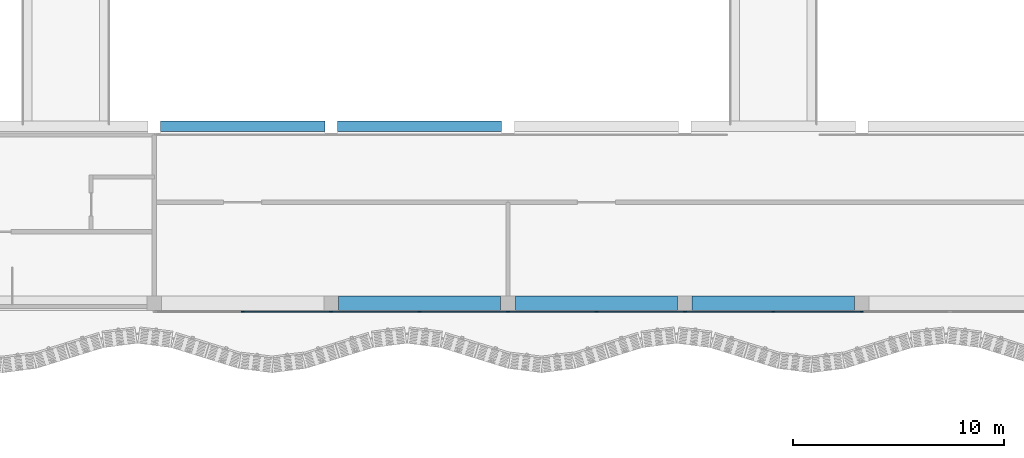
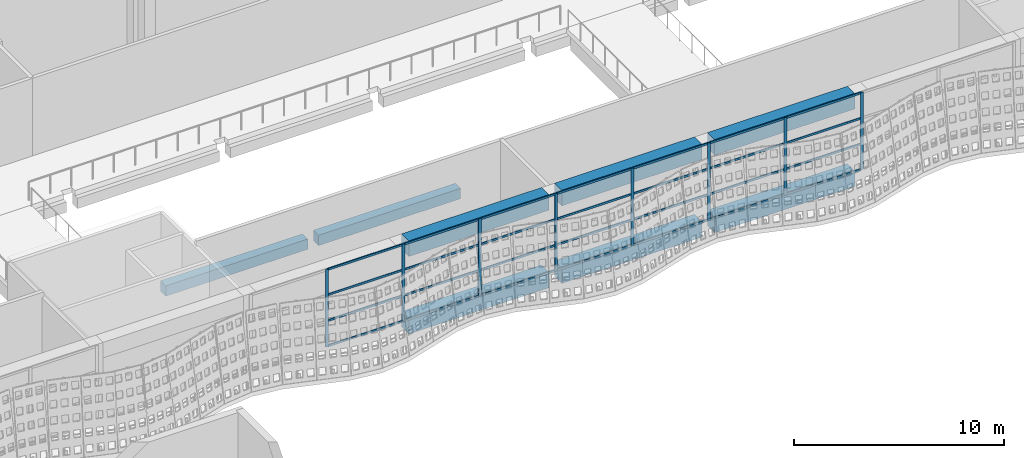
# One storey, part 54 of 162: 36 members, 8 beams, 1 element without a shape of its own.
"""IFC4 building model written with IfcOpenShell, lengths in metres."""

import ifcopenshell
import ifcopenshell.guid

model = None  # the IFC model being written
_history = None  # IfcOwnerHistory: only IFC2X3 demands one
_inside = {}  # id of a spatial element -> (the spatial element, [elements in it])
_under = {}  # id of a project, library or spatial element -> (it, [spatial elements below it])
_declared = {}  # id of a project -> (the project, [libraries it declares])
_typed = {}  # id of a type object -> (the type object, [elements of that type])
_made_of = {}  # id of a material, layer set ... -> (it, [elements and type objects made of it])


def new_model(schema):
    """Start an empty IFC model of exactly this schema.

    Asked for "IFC4X3", IfcOpenShell would pick the latest addendum, in which some entities
    have other attributes; the version numbers below select the first issue.
    IFC2X3 requires an IfcOwnerHistory on every rooted entity: one is made here for all.
    """
    global model, _history
    if schema == "IFC4X3":
        model = ifcopenshell.file(schema_version=(4, 3, 0, 0))
    else:
        model = ifcopenshell.file(schema=schema)
    _inside.clear()
    _under.clear()
    _declared.clear()
    _typed.clear()
    _made_of.clear()
    _history = None
    if model.schema == "IFC2X3":
        org = make("IfcOrganization", Name="unknown")
        user = make(
            "IfcPersonAndOrganization",
            ThePerson=make("IfcPerson", FamilyName="unknown"),
            TheOrganization=org,
        )
        app = make(
            "IfcApplication",
            ApplicationDeveloper=org,
            Version="unknown",
            ApplicationFullName="unknown",
            ApplicationIdentifier="unknown",
        )
        _history = make(
            "IfcOwnerHistory",
            OwningUser=user,
            OwningApplication=app,
            ChangeAction="ADDED",
            CreationDate=0,
        )
    return model


def make(cls, **values):
    """One entity of the class cls with the attributes given. An attribute that is None is left unset."""
    return model.create_entity(
        cls, **{name: value for name, value in values.items() if value is not None}
    )


def rooted(cls, **values):
    """An entity with a GlobalId (a new one), such as an element, a storey or a relation."""
    return make(cls, GlobalId=ifcopenshell.guid.new(), OwnerHistory=_history, **values)


def si_unit(unit_type, name, prefix=None):
    """IfcSIUnit, for example si_unit("LENGTHUNIT", "METRE", prefix="MILLI")."""
    return make("IfcSIUnit", UnitType=unit_type, Prefix=prefix, Name=name)


def assignment(units):
    """IfcUnitAssignment: the units of a project."""
    return None if units is None else make("IfcUnitAssignment", Units=units)


def point(xyz):
    """IfcCartesianPoint."""
    return None if xyz is None else make("IfcCartesianPoint", Coordinates=xyz)


def direction(xyz):
    """IfcDirection."""
    return None if xyz is None else make("IfcDirection", DirectionRatios=xyz)


def frame(location, z_axis=None, x_axis=None):
    """IfcAxis2Placement3D, a coordinate frame: its origin and axes. An axis left out is left unset."""
    return make(
        "IfcAxis2Placement3D",
        Location=point(location),
        Axis=direction(z_axis),
        RefDirection=direction(x_axis),
    )


def frame_2d(location, x_axis=None):
    """IfcAxis2Placement2D, a coordinate frame in the plane: its origin and x axis."""
    return make(
        "IfcAxis2Placement2D", Location=point(location), RefDirection=direction(x_axis)
    )


def origin():
    """The frame at (0, 0, 0) with its axes left unset."""
    return frame((0.0, 0.0, 0.0))


def origin_2d():
    """The frame at (0, 0) in the plane with its x axis left unset."""
    return frame_2d((0.0, 0.0))


def place(relative_to, where):
    """IfcLocalPlacement: puts the frame where relative to a parent placement (None: the world)."""
    return make(
        "IfcLocalPlacement", PlacementRelTo=relative_to, RelativePlacement=where
    )


def context(
    kind, dimensions, precision=None, world=None, true_north=None, identifier=None
):
    """IfcGeometricRepresentationContext, for example the 3D "Model" context."""
    return make(
        "IfcGeometricRepresentationContext",
        ContextIdentifier=identifier,
        ContextType=kind,
        CoordinateSpaceDimension=dimensions,
        Precision=precision,
        WorldCoordinateSystem=world,
        TrueNorth=true_north,
    )


def subcontext(parent, identifier, kind, view, scale=None):
    """IfcGeometricRepresentationSubContext, for example "Body" below "Model"."""
    return make(
        "IfcGeometricRepresentationSubContext",
        ContextIdentifier=identifier,
        ContextType=kind,
        ParentContext=parent,
        TargetScale=scale,
        TargetView=view,
    )


def project(units=None, contexts=None):
    """IfcProject with its units and contexts."""
    return rooted(
        "IfcProject",
        Name="project",
        RepresentationContexts=contexts,
        UnitsInContext=assignment(units),
    )


def spatial(cls, under=None, at=None, **own):
    """A site, building, storey or space (cls), placed at a placement, below another one or the project."""
    s = rooted(cls, ObjectPlacement=at, **own)
    if under is not None:
        _under.setdefault(under.id(), (under, []))[1].append(s)
    return s


def profile(cls, at=None, kind="AREA", **sizes):
    """A parametric profile (cls). Its sizes go by their IFC names, for example OverallWidth=200.0."""
    return make(cls, ProfileType=kind, Position=at, **sizes)


def rectangle(**sizes):
    """IfcRectangleProfileDef."""
    return profile("IfcRectangleProfileDef", **sizes)


def extrude(swept, where, along, depth):
    """IfcExtrudedAreaSolid: the profile swept, set in the frame where, extruded along a direction by depth."""
    return make(
        "IfcExtrudedAreaSolid",
        SweptArea=swept,
        Position=where,
        ExtrudedDirection=direction(along),
        Depth=depth,
    )


def shape(context_of_items, identifier, shape_type, items):
    """IfcShapeRepresentation: the items that make up one representation, for example the "Body"."""
    return make(
        "IfcShapeRepresentation",
        ContextOfItems=context_of_items,
        RepresentationIdentifier=identifier,
        RepresentationType=shape_type,
        Items=items,
    )


def material(Name=None, Category=None):
    """IfcMaterial."""
    return make("IfcMaterial", Name=Name, Category=Category)


def layer(
    of_material, thickness, ventilated=None, Name=None, Category=None, Priority=None
):
    """IfcMaterialLayer: one layer of a wall or slab, of a material (None: an air gap)."""
    return make(
        "IfcMaterialLayer",
        Material=of_material,
        LayerThickness=thickness,
        IsVentilated=ventilated,
        Name=Name,
        Category=Category,
        Priority=Priority,
    )


def layer_set(layers, Name=None):
    """IfcMaterialLayerSet."""
    return make("IfcMaterialLayerSet", MaterialLayers=layers, LayerSetName=Name)


def material_profile(
    of_material, cross_section, Name=None, Category=None, Priority=None
):
    """IfcMaterialProfile: a cross section and its material."""
    return make(
        "IfcMaterialProfile",
        Name=Name,
        Material=of_material,
        Profile=cross_section,
        Priority=Priority,
        Category=Category,
    )


def profile_set(profiles, Name=None, composite=None):
    """IfcMaterialProfileSet."""
    return make(
        "IfcMaterialProfileSet",
        Name=Name,
        MaterialProfiles=profiles,
        CompositeProfile=composite,
    )


def made_of(thing, what):
    """Note that an element or type object is made of a material, layer set ...; save() writes the relation."""
    if what is not None:
        _made_of.setdefault(what.id(), (what, []))[1].append(thing)
    return thing


def type_object(cls, material=None, **own):
    """A type object (cls), such as IfcWallType, which elements share."""
    return made_of(rooted(cls, **own), material)


def element(
    cls,
    number,
    at=None,
    inside=None,
    cuts=None,
    type_object=None,
    material=None,
    context=None,
    identifier="Body",
    shape_type=None,
    held_by="IfcProductDefinitionShape",
    body=None,
    shapes=None,
    **own,
):
    """One element of the class cls, such as IfcWall. Its Tag is "e" and its number.

    at: its placement. inside: the storey or other place that contains it. cuts: it is an
    opening in that element (IfcRelVoidsElement). A single representation is given by context,
    identifier, shape_type and body (its items); several are given by shapes. held_by: the class
    of the entity that holds the representations. save() writes the other relations.
    """
    e = rooted(cls, Tag="e%d" % number, ObjectPlacement=at, **own)
    if body is not None:
        shapes = [shape(context, identifier, shape_type, body)]
    if shapes is not None:
        e.Representation = make(held_by, Representations=shapes)
    if inside is not None:
        _inside.setdefault(inside.id(), (inside, []))[1].append(e)
    if cuts is not None:
        rooted(
            "IfcRelVoidsElement", RelatingBuildingElement=cuts, RelatedOpeningElement=e
        )
    if type_object is not None:
        _typed.setdefault(type_object.id(), (type_object, []))[1].append(e)
    return made_of(e, material)


def aggregate(whole, parts):
    """IfcRelAggregates: a whole, such as a stair, and the parts it consists of."""
    return rooted("IfcRelAggregates", RelatingObject=whole, RelatedObjects=parts)


def save(model, path):
    """Write the relations noted so far, then the file.

    IfcRelAggregates (storeys below a building ...), IfcRelContainedInSpatialStructure (elements
    in a storey), IfcRelDefinesByType, IfcRelAssociatesMaterial and IfcRelDeclares: one each for
    every whole, place, type object, material and project.
    """
    for whole, parts in _under.values():
        aggregate(whole, parts)
    for where, things in _inside.values():
        rooted(
            "IfcRelContainedInSpatialStructure",
            RelatedElements=things,
            RelatingStructure=where,
        )
    for kind, things in _typed.values():
        rooted("IfcRelDefinesByType", RelatedObjects=things, RelatingType=kind)
    for what, things in _made_of.values():
        rooted("IfcRelAssociatesMaterial", RelatedObjects=things, RelatingMaterial=what)
    for by, libraries in _declared.values():
        rooted("IfcRelDeclares", RelatingContext=by, RelatedDefinitions=libraries)
    model.write(path)


model = new_model("IFC4")

# Units and contexts
model_context = context("Model", 3, precision=1e-05, world=origin(), true_north=direction((0.0, 1.0)))
body_context = subcontext(model_context, "Body", "Model", "MODEL_VIEW")
ifc_project = project(units=[si_unit("LENGTHUNIT", "METRE"), si_unit("AREAUNIT", "SQUARE_METRE"), si_unit("VOLUMEUNIT", "CUBIC_METRE"), si_unit("PLANEANGLEUNIT", "RADIAN"), si_unit("MASSUNIT", "GRAM", prefix="KILO")], contexts=[model_context])

# Site, building, storey
site_placement = place(None, origin())
site = spatial("IfcSite", under=ifc_project, at=site_placement, CompositionType="ELEMENT")
building_placement = place(site_placement, origin())
building = spatial("IfcBuilding", under=site, at=building_placement, Name="Rain Tree Exposition and Congress Centre", CompositionType="ELEMENT")
storey_placement = place(building_placement, frame((0.0, 0.0, 6.0)))
storey = spatial("IfcBuildingStorey", under=building, at=storey_placement, Name="L01", CompositionType="ELEMENT", Elevation=6.0)

# Curtain wall, members
ifc_material_1 = material(Name="Aluminium curtain wall system", Category="aluminium")
ifc_layer = layer(ifc_material_1, 0.10009765625)
ifc_layer_set = layer_set([ifc_layer], Name="Aluminium curtain wall system")
curtain_wall_type = type_object("IfcCurtainWallType", Name="Concourse curtain wall 4200 module", PredefinedType="NOTDEFINED", material=ifc_layer_set)
curtain_wall_placement = place(storey_placement, origin())
curtain_wall = element("IfcCurtainWall", 1, at=curtain_wall_placement, inside=storey, type_object=curtain_wall_type, Name="Concourse curtain wall CWC28", PredefinedType="NOTDEFINED")
ifc_material_2 = material(Name="Aluminium mullion", Category="aluminium")
ifc_material_profile_1 = material_profile(ifc_material_2, rectangle(XDim=0.06005859375, YDim=0.159912109375, at=origin_2d()), Name="AL 60x160")
ifc_profile_set_1 = profile_set([ifc_material_profile_1], Name="Aluminium mullion")
member_type_1 = type_object("IfcMemberType", Name="Concourse curtain wall mullion 60x160", PredefinedType="MULLION", material=ifc_profile_set_1)
member_1_placement = place(storey_placement, frame((222.60009765625, 75.199951171875, 0.0), z_axis=(0.0, 0.0, 1.0), x_axis=(0.0, 1.0, 0.0)))
member_1 = element("IfcMember", 2, at=member_1_placement, type_object=member_type_1, Name="CWC28 mullion 2", PredefinedType="MULLION", context=body_context, shape_type="SweptSolid", body=[
    extrude(rectangle(XDim=0.06005859375, YDim=0.159912109375, at=origin_2d()), origin(), (0.0, 0.0, 1.0), 4.5),
])
member_2_placement = place(storey_placement, frame((226.800048828125, 75.199951171875, 0.0), z_axis=(0.0, 0.0, 1.0), x_axis=(0.0, 1.0, 0.0)))
member_2 = element("IfcMember", 3, at=member_2_placement, type_object=member_type_1, Name="CWC28 mullion 3", PredefinedType="MULLION", context=body_context, shape_type="SweptSolid", body=[
    extrude(rectangle(XDim=0.06005859375, YDim=0.159912109375, at=origin_2d()), origin(), (0.0, 0.0, 1.0), 4.5),
])
member_3_placement = place(storey_placement, frame((231.0, 75.199951171875, 0.0), z_axis=(0.0, 0.0, 1.0), x_axis=(0.0, 1.0, 0.0)))
member_3 = element("IfcMember", 4, at=member_3_placement, type_object=member_type_1, Name="CWC28 mullion 4", PredefinedType="MULLION", context=body_context, shape_type="SweptSolid", body=[
    extrude(rectangle(XDim=0.06005859375, YDim=0.159912109375, at=origin_2d()), origin(), (0.0, 0.0, 1.0), 4.5),
])
member_4_placement = place(storey_placement, frame((235.199951171875, 75.199951171875, 0.0), z_axis=(0.0, 0.0, 1.0), x_axis=(0.0, 1.0, 0.0)))
member_4 = element("IfcMember", 5, at=member_4_placement, type_object=member_type_1, Name="CWC28 mullion 5", PredefinedType="MULLION", context=body_context, shape_type="SweptSolid", body=[
    extrude(rectangle(XDim=0.06005859375, YDim=0.159912109375, at=origin_2d()), origin(), (0.0, 0.0, 1.0), 4.5),
])
member_5_placement = place(storey_placement, frame((239.39990234375, 75.199951171875, 0.0), z_axis=(0.0, 0.0, 1.0), x_axis=(0.0, 1.0, 0.0)))
member_5 = element("IfcMember", 6, at=member_5_placement, type_object=member_type_1, Name="CWC28 mullion 6", PredefinedType="MULLION", context=body_context, shape_type="SweptSolid", body=[
    extrude(rectangle(XDim=0.06005859375, YDim=0.159912109375, at=origin_2d()), origin(), (0.0, 0.0, 1.0), 4.5),
])
member_6_placement = place(storey_placement, frame((243.60009765625, 75.199951171875, 0.0), z_axis=(0.0, 0.0, 1.0), x_axis=(0.0, 1.0, 0.0)))
member_6 = element("IfcMember", 7, at=member_6_placement, type_object=member_type_1, Name="CWC28 mullion 7", PredefinedType="MULLION", context=body_context, shape_type="SweptSolid", body=[
    extrude(rectangle(XDim=0.06005859375, YDim=0.159912109375, at=origin_2d()), origin(), (0.0, 0.0, 1.0), 4.5),
])
member_7_placement = place(storey_placement, frame((247.800048828125, 75.199951171875, 0.0), z_axis=(0.0, 0.0, 1.0), x_axis=(0.0, 1.0, 0.0)))
member_7 = element("IfcMember", 8, at=member_7_placement, type_object=member_type_1, Name="CWC28 mullion 8", PredefinedType="MULLION", context=body_context, shape_type="SweptSolid", body=[
    extrude(rectangle(XDim=0.06005859375, YDim=0.159912109375, at=origin_2d()), origin(), (0.0, 0.0, 1.0), 4.5),
])
member_8_placement = place(storey_placement, frame((252.0, 75.199951171875, 0.0), z_axis=(0.0, 0.0, 1.0), x_axis=(0.0, 1.0, 0.0)))
member_8 = element("IfcMember", 9, at=member_8_placement, type_object=member_type_1, Name="CWC28 mullion 9", PredefinedType="MULLION", context=body_context, shape_type="SweptSolid", body=[
    extrude(rectangle(XDim=0.06005859375, YDim=0.159912109375, at=origin_2d()), origin(), (0.0, 0.0, 1.0), 4.5),
])
ifc_material_3 = material(Name="Aluminium transom", Category="aluminium")
ifc_material_profile_2 = material_profile(ifc_material_3, rectangle(XDim=0.06005859375, YDim=0.1201171875, at=origin_2d()), Name="AL 60x120")
ifc_profile_set_2 = profile_set([ifc_material_profile_2], Name="Aluminium transom")
member_type_2 = type_object("IfcMemberType", Name="Concourse curtain wall transom 60x120", PredefinedType="USERDEFINED", material=ifc_profile_set_2)
member_9_placement = place(storey_placement, frame((222.6298828125, 75.199951171875, 0.030029296875), z_axis=(1.0, 0.0, 0.0), x_axis=(0.0, 1.0, 0.0)))
member_9 = element("IfcMember", 10, at=member_9_placement, type_object=member_type_2, Name="CWC28 transom 2.1", ObjectType="TRANSOM", PredefinedType="USERDEFINED", context=body_context, shape_type="SweptSolid", body=[
    extrude(rectangle(XDim=0.06005859375, YDim=0.1201171875, at=origin_2d()), origin(), (0.0, 0.0, 1.0), 4.14013671875),
])
member_10_placement = place(storey_placement, frame((222.6298828125, 75.199951171875, 1.5), z_axis=(1.0, 0.0, 0.0), x_axis=(0.0, 1.0, 0.0)))
member_10 = element("IfcMember", 11, at=member_10_placement, type_object=member_type_2, Name="CWC28 transom 2.2", ObjectType="TRANSOM", PredefinedType="USERDEFINED", context=body_context, shape_type="SweptSolid", body=[
    extrude(rectangle(XDim=0.06005859375, YDim=0.1201171875, at=origin_2d()), origin(), (0.0, 0.0, 1.0), 4.14013671875),
])
member_11_placement = place(storey_placement, frame((222.6298828125, 75.199951171875, 3.0), z_axis=(1.0, 0.0, 0.0), x_axis=(0.0, 1.0, 0.0)))
member_11 = element("IfcMember", 12, at=member_11_placement, type_object=member_type_2, Name="CWC28 transom 2.3", ObjectType="TRANSOM", PredefinedType="USERDEFINED", context=body_context, shape_type="SweptSolid", body=[
    extrude(rectangle(XDim=0.06005859375, YDim=0.1201171875, at=origin_2d()), origin(), (0.0, 0.0, 1.0), 4.14013671875),
])
member_12_placement = place(storey_placement, frame((222.6298828125, 75.199951171875, 4.469970703125), z_axis=(1.0, 0.0, 0.0), x_axis=(0.0, 1.0, 0.0)))
member_12 = element("IfcMember", 13, at=member_12_placement, type_object=member_type_2, Name="CWC28 transom 2.4", ObjectType="TRANSOM", PredefinedType="USERDEFINED", context=body_context, shape_type="SweptSolid", body=[
    extrude(rectangle(XDim=0.06005859375, YDim=0.1201171875, at=origin_2d()), origin(), (0.0, 0.0, 1.0), 4.14013671875),
])
member_13_placement = place(storey_placement, frame((226.830078125, 75.199951171875, 0.030029296875), z_axis=(1.0, 0.0, 0.0), x_axis=(0.0, 1.0, 0.0)))
member_13 = element("IfcMember", 14, at=member_13_placement, type_object=member_type_2, Name="CWC28 transom 3.1", ObjectType="TRANSOM", PredefinedType="USERDEFINED", context=body_context, shape_type="SweptSolid", body=[
    extrude(rectangle(XDim=0.06005859375, YDim=0.1201171875, at=origin_2d()), origin(), (0.0, 0.0, 1.0), 4.139892578125),
])
member_14_placement = place(storey_placement, frame((226.830078125, 75.199951171875, 1.5), z_axis=(1.0, 0.0, 0.0), x_axis=(0.0, 1.0, 0.0)))
member_14 = element("IfcMember", 15, at=member_14_placement, type_object=member_type_2, Name="CWC28 transom 3.2", ObjectType="TRANSOM", PredefinedType="USERDEFINED", context=body_context, shape_type="SweptSolid", body=[
    extrude(rectangle(XDim=0.06005859375, YDim=0.1201171875, at=origin_2d()), origin(), (0.0, 0.0, 1.0), 4.139892578125),
])
member_15_placement = place(storey_placement, frame((226.830078125, 75.199951171875, 3.0), z_axis=(1.0, 0.0, 0.0), x_axis=(0.0, 1.0, 0.0)))
member_15 = element("IfcMember", 16, at=member_15_placement, type_object=member_type_2, Name="CWC28 transom 3.3", ObjectType="TRANSOM", PredefinedType="USERDEFINED", context=body_context, shape_type="SweptSolid", body=[
    extrude(rectangle(XDim=0.06005859375, YDim=0.1201171875, at=origin_2d()), origin(), (0.0, 0.0, 1.0), 4.139892578125),
])
member_16_placement = place(storey_placement, frame((226.830078125, 75.199951171875, 4.469970703125), z_axis=(1.0, 0.0, 0.0), x_axis=(0.0, 1.0, 0.0)))
member_16 = element("IfcMember", 17, at=member_16_placement, type_object=member_type_2, Name="CWC28 transom 3.4", ObjectType="TRANSOM", PredefinedType="USERDEFINED", context=body_context, shape_type="SweptSolid", body=[
    extrude(rectangle(XDim=0.06005859375, YDim=0.1201171875, at=origin_2d()), origin(), (0.0, 0.0, 1.0), 4.139892578125),
])
member_17_placement = place(storey_placement, frame((231.030029296875, 75.199951171875, 0.030029296875), z_axis=(1.0, 0.0, 0.0), x_axis=(0.0, 1.0, 0.0)))
member_17 = element("IfcMember", 18, at=member_17_placement, type_object=member_type_2, Name="CWC28 transom 4.1", ObjectType="TRANSOM", PredefinedType="USERDEFINED", context=body_context, shape_type="SweptSolid", body=[
    extrude(rectangle(XDim=0.06005859375, YDim=0.1201171875, at=origin_2d()), origin(), (0.0, 0.0, 1.0), 4.139892578125),
])
member_18_placement = place(storey_placement, frame((231.030029296875, 75.199951171875, 1.5), z_axis=(1.0, 0.0, 0.0), x_axis=(0.0, 1.0, 0.0)))
member_18 = element("IfcMember", 19, at=member_18_placement, type_object=member_type_2, Name="CWC28 transom 4.2", ObjectType="TRANSOM", PredefinedType="USERDEFINED", context=body_context, shape_type="SweptSolid", body=[
    extrude(rectangle(XDim=0.06005859375, YDim=0.1201171875, at=origin_2d()), origin(), (0.0, 0.0, 1.0), 4.139892578125),
])
member_19_placement = place(storey_placement, frame((231.030029296875, 75.199951171875, 3.0), z_axis=(1.0, 0.0, 0.0), x_axis=(0.0, 1.0, 0.0)))
member_19 = element("IfcMember", 20, at=member_19_placement, type_object=member_type_2, Name="CWC28 transom 4.3", ObjectType="TRANSOM", PredefinedType="USERDEFINED", context=body_context, shape_type="SweptSolid", body=[
    extrude(rectangle(XDim=0.06005859375, YDim=0.1201171875, at=origin_2d()), origin(), (0.0, 0.0, 1.0), 4.139892578125),
])
member_20_placement = place(storey_placement, frame((231.030029296875, 75.199951171875, 4.469970703125), z_axis=(1.0, 0.0, 0.0), x_axis=(0.0, 1.0, 0.0)))
member_20 = element("IfcMember", 21, at=member_20_placement, type_object=member_type_2, Name="CWC28 transom 4.4", ObjectType="TRANSOM", PredefinedType="USERDEFINED", context=body_context, shape_type="SweptSolid", body=[
    extrude(rectangle(XDim=0.06005859375, YDim=0.1201171875, at=origin_2d()), origin(), (0.0, 0.0, 1.0), 4.139892578125),
])
member_21_placement = place(storey_placement, frame((235.22998046875, 75.199951171875, 0.030029296875), z_axis=(1.0, 0.0, 0.0), x_axis=(0.0, 1.0, 0.0)))
member_21 = element("IfcMember", 22, at=member_21_placement, type_object=member_type_2, Name="CWC28 transom 5.1", ObjectType="TRANSOM", PredefinedType="USERDEFINED", context=body_context, shape_type="SweptSolid", body=[
    extrude(rectangle(XDim=0.06005859375, YDim=0.1201171875, at=origin_2d()), origin(), (0.0, 0.0, 1.0), 4.14013671875),
])
member_22_placement = place(storey_placement, frame((235.22998046875, 75.199951171875, 1.5), z_axis=(1.0, 0.0, 0.0), x_axis=(0.0, 1.0, 0.0)))
member_22 = element("IfcMember", 23, at=member_22_placement, type_object=member_type_2, Name="CWC28 transom 5.2", ObjectType="TRANSOM", PredefinedType="USERDEFINED", context=body_context, shape_type="SweptSolid", body=[
    extrude(rectangle(XDim=0.06005859375, YDim=0.1201171875, at=origin_2d()), origin(), (0.0, 0.0, 1.0), 4.14013671875),
])
member_23_placement = place(storey_placement, frame((235.22998046875, 75.199951171875, 3.0), z_axis=(1.0, 0.0, 0.0), x_axis=(0.0, 1.0, 0.0)))
member_23 = element("IfcMember", 24, at=member_23_placement, type_object=member_type_2, Name="CWC28 transom 5.3", ObjectType="TRANSOM", PredefinedType="USERDEFINED", context=body_context, shape_type="SweptSolid", body=[
    extrude(rectangle(XDim=0.06005859375, YDim=0.1201171875, at=origin_2d()), origin(), (0.0, 0.0, 1.0), 4.14013671875),
])
member_24_placement = place(storey_placement, frame((235.22998046875, 75.199951171875, 4.469970703125), z_axis=(1.0, 0.0, 0.0), x_axis=(0.0, 1.0, 0.0)))
member_24 = element("IfcMember", 25, at=member_24_placement, type_object=member_type_2, Name="CWC28 transom 5.4", ObjectType="TRANSOM", PredefinedType="USERDEFINED", context=body_context, shape_type="SweptSolid", body=[
    extrude(rectangle(XDim=0.06005859375, YDim=0.1201171875, at=origin_2d()), origin(), (0.0, 0.0, 1.0), 4.14013671875),
])
member_25_placement = place(storey_placement, frame((239.429931640625, 75.199951171875, 0.030029296875), z_axis=(1.0, 0.0, 0.0), x_axis=(0.0, 1.0, 0.0)))
member_25 = element("IfcMember", 26, at=member_25_placement, type_object=member_type_2, Name="CWC28 transom 6.1", ObjectType="TRANSOM", PredefinedType="USERDEFINED", context=body_context, shape_type="SweptSolid", body=[
    extrude(rectangle(XDim=0.06005859375, YDim=0.1201171875, at=origin_2d()), origin(), (0.0, 0.0, 1.0), 4.14013671875),
])
member_26_placement = place(storey_placement, frame((239.429931640625, 75.199951171875, 1.5), z_axis=(1.0, 0.0, 0.0), x_axis=(0.0, 1.0, 0.0)))
member_26 = element("IfcMember", 27, at=member_26_placement, type_object=member_type_2, Name="CWC28 transom 6.2", ObjectType="TRANSOM", PredefinedType="USERDEFINED", context=body_context, shape_type="SweptSolid", body=[
    extrude(rectangle(XDim=0.06005859375, YDim=0.1201171875, at=origin_2d()), origin(), (0.0, 0.0, 1.0), 4.14013671875),
])
member_27_placement = place(storey_placement, frame((239.429931640625, 75.199951171875, 3.0), z_axis=(1.0, 0.0, 0.0), x_axis=(0.0, 1.0, 0.0)))
member_27 = element("IfcMember", 28, at=member_27_placement, type_object=member_type_2, Name="CWC28 transom 6.3", ObjectType="TRANSOM", PredefinedType="USERDEFINED", context=body_context, shape_type="SweptSolid", body=[
    extrude(rectangle(XDim=0.06005859375, YDim=0.1201171875, at=origin_2d()), origin(), (0.0, 0.0, 1.0), 4.14013671875),
])
member_28_placement = place(storey_placement, frame((239.429931640625, 75.199951171875, 4.469970703125), z_axis=(1.0, 0.0, 0.0), x_axis=(0.0, 1.0, 0.0)))
member_28 = element("IfcMember", 29, at=member_28_placement, type_object=member_type_2, Name="CWC28 transom 6.4", ObjectType="TRANSOM", PredefinedType="USERDEFINED", context=body_context, shape_type="SweptSolid", body=[
    extrude(rectangle(XDim=0.06005859375, YDim=0.1201171875, at=origin_2d()), origin(), (0.0, 0.0, 1.0), 4.14013671875),
])
member_29_placement = place(storey_placement, frame((243.6298828125, 75.199951171875, 0.030029296875), z_axis=(1.0, 0.0, 0.0), x_axis=(0.0, 1.0, 0.0)))
member_29 = element("IfcMember", 30, at=member_29_placement, type_object=member_type_2, Name="CWC28 transom 7.1", ObjectType="TRANSOM", PredefinedType="USERDEFINED", context=body_context, shape_type="SweptSolid", body=[
    extrude(rectangle(XDim=0.06005859375, YDim=0.1201171875, at=origin_2d()), origin(), (0.0, 0.0, 1.0), 4.14013671875),
])
member_30_placement = place(storey_placement, frame((243.6298828125, 75.199951171875, 1.5), z_axis=(1.0, 0.0, 0.0), x_axis=(0.0, 1.0, 0.0)))
member_30 = element("IfcMember", 31, at=member_30_placement, type_object=member_type_2, Name="CWC28 transom 7.2", ObjectType="TRANSOM", PredefinedType="USERDEFINED", context=body_context, shape_type="SweptSolid", body=[
    extrude(rectangle(XDim=0.06005859375, YDim=0.1201171875, at=origin_2d()), origin(), (0.0, 0.0, 1.0), 4.14013671875),
])
member_31_placement = place(storey_placement, frame((243.6298828125, 75.199951171875, 3.0), z_axis=(1.0, 0.0, 0.0), x_axis=(0.0, 1.0, 0.0)))
member_31 = element("IfcMember", 32, at=member_31_placement, type_object=member_type_2, Name="CWC28 transom 7.3", ObjectType="TRANSOM", PredefinedType="USERDEFINED", context=body_context, shape_type="SweptSolid", body=[
    extrude(rectangle(XDim=0.06005859375, YDim=0.1201171875, at=origin_2d()), origin(), (0.0, 0.0, 1.0), 4.14013671875),
])
member_32_placement = place(storey_placement, frame((243.6298828125, 75.199951171875, 4.469970703125), z_axis=(1.0, 0.0, 0.0), x_axis=(0.0, 1.0, 0.0)))
member_32 = element("IfcMember", 33, at=member_32_placement, type_object=member_type_2, Name="CWC28 transom 7.4", ObjectType="TRANSOM", PredefinedType="USERDEFINED", context=body_context, shape_type="SweptSolid", body=[
    extrude(rectangle(XDim=0.06005859375, YDim=0.1201171875, at=origin_2d()), origin(), (0.0, 0.0, 1.0), 4.14013671875),
])
member_33_placement = place(storey_placement, frame((247.830078125, 75.199951171875, 0.030029296875), z_axis=(1.0, 0.0, 0.0), x_axis=(0.0, 1.0, 0.0)))
member_33 = element("IfcMember", 34, at=member_33_placement, type_object=member_type_2, Name="CWC28 transom 8.1", ObjectType="TRANSOM", PredefinedType="USERDEFINED", context=body_context, shape_type="SweptSolid", body=[
    extrude(rectangle(XDim=0.06005859375, YDim=0.1201171875, at=origin_2d()), origin(), (0.0, 0.0, 1.0), 4.139892578125),
])
member_34_placement = place(storey_placement, frame((247.830078125, 75.199951171875, 1.5), z_axis=(1.0, 0.0, 0.0), x_axis=(0.0, 1.0, 0.0)))
member_34 = element("IfcMember", 35, at=member_34_placement, type_object=member_type_2, Name="CWC28 transom 8.2", ObjectType="TRANSOM", PredefinedType="USERDEFINED", context=body_context, shape_type="SweptSolid", body=[
    extrude(rectangle(XDim=0.06005859375, YDim=0.1201171875, at=origin_2d()), origin(), (0.0, 0.0, 1.0), 4.139892578125),
])
member_35_placement = place(storey_placement, frame((247.830078125, 75.199951171875, 3.0), z_axis=(1.0, 0.0, 0.0), x_axis=(0.0, 1.0, 0.0)))
member_35 = element("IfcMember", 36, at=member_35_placement, type_object=member_type_2, Name="CWC28 transom 8.3", ObjectType="TRANSOM", PredefinedType="USERDEFINED", context=body_context, shape_type="SweptSolid", body=[
    extrude(rectangle(XDim=0.06005859375, YDim=0.1201171875, at=origin_2d()), origin(), (0.0, 0.0, 1.0), 4.139892578125),
])
member_36_placement = place(storey_placement, frame((247.830078125, 75.199951171875, 4.469970703125), z_axis=(1.0, 0.0, 0.0), x_axis=(0.0, 1.0, 0.0)))
member_36 = element("IfcMember", 37, at=member_36_placement, type_object=member_type_2, Name="CWC28 transom 8.4", ObjectType="TRANSOM", PredefinedType="USERDEFINED", context=body_context, shape_type="SweptSolid", body=[
    extrude(rectangle(XDim=0.06005859375, YDim=0.1201171875, at=origin_2d()), origin(), (0.0, 0.0, 1.0), 4.139892578125),
])
aggregate(curtain_wall, [member_1, member_2, member_3, member_4, member_5, member_6, member_7, member_8, member_9, member_10, member_11, member_12, member_13, member_14, member_15, member_16, member_17, member_18, member_19, member_20, member_21, member_22, member_23, member_24, member_25, member_26, member_27, member_28, member_29, member_30, member_31, member_32, member_33, member_34, member_35, member_36])

# Beams
ifc_material_4 = material(Name="Precast concrete C50/60", Category="concrete")
ifc_material_profile_3 = material_profile(ifc_material_4, rectangle(XDim=0.5, YDim=0.60009765625, at=origin_2d()), Name="RC 500x600")
ifc_profile_set_3 = profile_set([ifc_material_profile_3], Name="Precast concrete C50/60")
beam_type_1 = type_object("IfcBeamType", Name="Precast beam 500x600", PredefinedType="BEAM", material=ifc_profile_set_3)
beam_1_placement = place(storey_placement, frame((218.699951171875, 84.0, -0.60009765625), z_axis=(1.0, 0.0, 0.0), x_axis=(0.0, 1.0, 0.0)))
element("IfcBeam", 38, at=beam_1_placement, inside=storey, type_object=beam_type_1, Name="Concourse floor beam 59", PredefinedType="BEAM", context=body_context, shape_type="SweptSolid", body=[
    extrude(rectangle(XDim=0.5, YDim=0.60009765625, at=origin_2d()), origin(), (0.0, 0.0, 1.0), 7.800048828125),
])
beam_2_placement = place(storey_placement, frame((227.10009765625, 84.0, -0.60009765625), z_axis=(1.0, 0.0, 0.0), x_axis=(0.0, 1.0, 0.0)))
element("IfcBeam", 39, at=beam_2_placement, inside=storey, type_object=beam_type_1, Name="Concourse floor beam 60", PredefinedType="BEAM", context=body_context, shape_type="SweptSolid", body=[
    extrude(rectangle(XDim=0.5, YDim=0.60009765625, at=origin_2d()), origin(), (0.0, 0.0, 1.0), 7.7998046875),
])
ifc_material_5 = material(Name="Precast concrete C50/60", Category="concrete")
ifc_material_profile_4 = material_profile(ifc_material_5, rectangle(XDim=0.699951171875, YDim=0.89990234375, at=origin_2d()), Name="RC 700x900")
ifc_profile_set_4 = profile_set([ifc_material_profile_4], Name="Precast concrete C50/60")
beam_type_2 = type_object("IfcBeamType", Name="Precast beam 700x900", PredefinedType="BEAM", material=ifc_profile_set_4)
beam_3_placement = place(storey_placement, frame((227.14990234375, 75.60009765625, -0.449951171875), z_axis=(1.0, 0.0, 0.0), x_axis=(0.0, 1.0, 0.0)))
element("IfcBeam", 40, at=beam_3_placement, inside=storey, type_object=beam_type_2, Name="Concourse edge beam 28", PredefinedType="BEAM", context=body_context, shape_type="SweptSolid", body=[
    extrude(rectangle(XDim=0.699951171875, YDim=0.89990234375, at=origin_2d()), origin(), (0.0, 0.0, 1.0), 7.7001953125),
])
for number, where, z_axis, x_axis, name in (
    (41, (235.550048828125, 75.60009765625, -0.449951171875), (1.0, 0.0, 0.0), (0.0, 1.0, 0.0), "Concourse edge beam 29"),
    (42, (243.949951171875, 75.60009765625, -0.449951171875), (1.0, 0.0, 0.0), (0.0, 1.0, 0.0), "Concourse edge beam 30"),
):
    element("IfcBeam", number, at=place(storey_placement, frame(where, z_axis=z_axis, x_axis=x_axis)), inside=storey, type_object=beam_type_2, Name=name, PredefinedType="BEAM", context=body_context, shape_type="SweptSolid", body=[
        extrude(rectangle(XDim=0.699951171875, YDim=0.89990234375, at=origin_2d()), origin(), (0.0, 0.0, 1.0), 7.699951171875),
    ])
beam_4_placement = place(storey_placement, frame((227.14990234375, 75.60009765625, 4.050048828125), z_axis=(1.0, 0.0, 0.0), x_axis=(0.0, 1.0, 0.0)))
element("IfcBeam", 43, at=beam_4_placement, inside=storey, type_object=beam_type_2, Name="Concourse roof edge beam 28", PredefinedType="BEAM", context=body_context, shape_type="SweptSolid", body=[
    extrude(rectangle(XDim=0.699951171875, YDim=0.89990234375, at=origin_2d()), origin(), (0.0, 0.0, 1.0), 7.7001953125),
])
for number, where, z_axis, x_axis, name in (
    (44, (235.550048828125, 75.60009765625, 4.050048828125), (1.0, 0.0, 0.0), (0.0, 1.0, 0.0), "Concourse roof edge beam 29"),
    (45, (243.949951171875, 75.60009765625, 4.050048828125), (1.0, 0.0, 0.0), (0.0, 1.0, 0.0), "Concourse roof edge beam 30"),
):
    element("IfcBeam", number, at=place(storey_placement, frame(where, z_axis=z_axis, x_axis=x_axis)), inside=storey, type_object=beam_type_2, Name=name, PredefinedType="BEAM", context=body_context, shape_type="SweptSolid", body=[
        extrude(rectangle(XDim=0.699951171875, YDim=0.89990234375, at=origin_2d()), origin(), (0.0, 0.0, 1.0), 7.699951171875),
    ])

save(model, "model.ifc")
